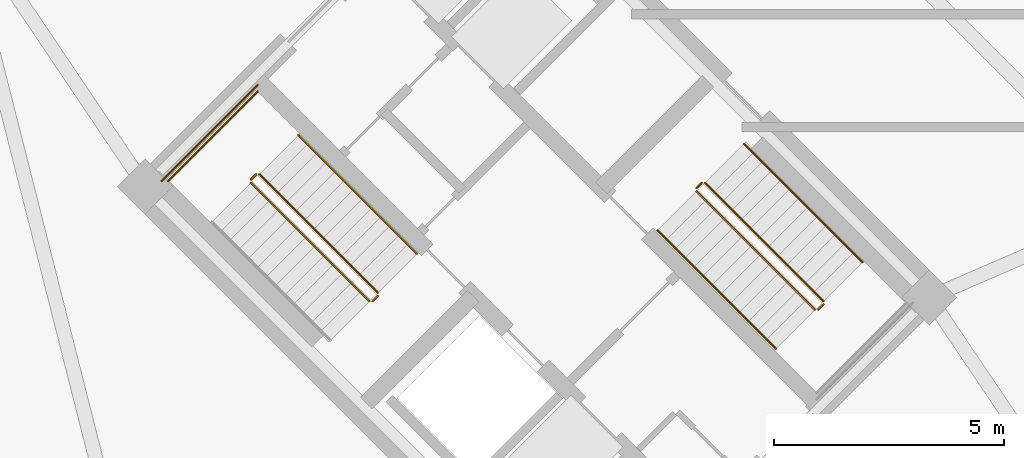
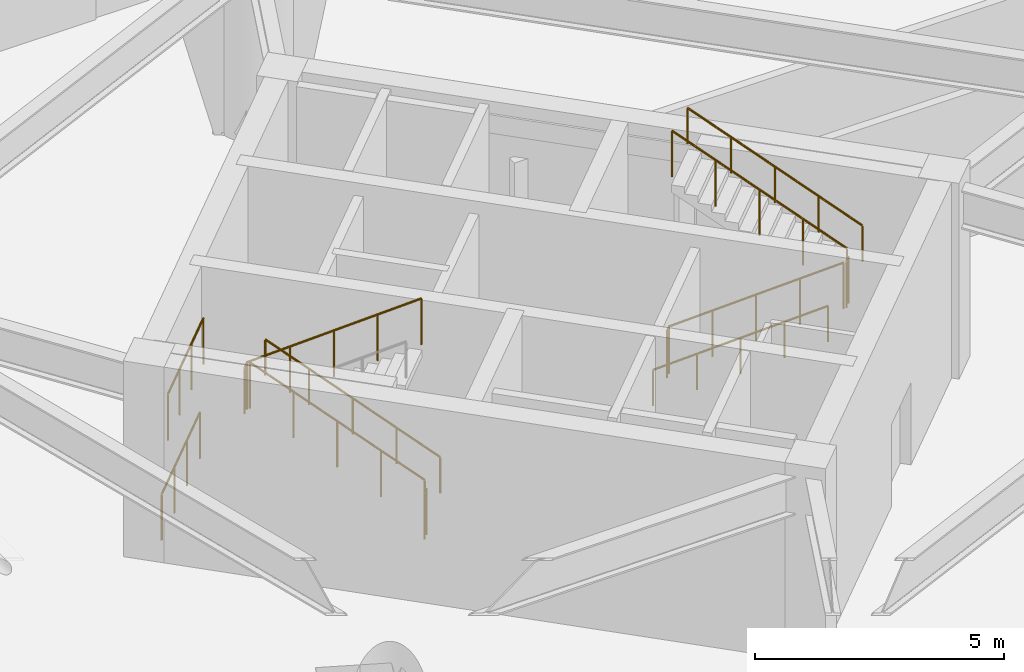
# One storey, part 14 of 17: 13 railings.
"""IFC4 building model written with IfcOpenShell, lengths in metres."""

from ifc_helpers import new_model, si_unit, direction, frame, origin, origin_2d, place, context, subcontext, project, spatial, circle, extrude, material, type_object, element, save


model = new_model("IFC4")

# Units and contexts
model_context = context("Model", 3, precision=1e-05, world=origin(), true_north=direction((0.0, 1.0)))
body_context = subcontext(model_context, "Body", "Model", "MODEL_VIEW")
ifc_project = project(units=[si_unit("LENGTHUNIT", "METRE"), si_unit("AREAUNIT", "SQUARE_METRE"), si_unit("VOLUMEUNIT", "CUBIC_METRE"), si_unit("PLANEANGLEUNIT", "RADIAN"), si_unit("MASSUNIT", "GRAM", prefix="KILO")], contexts=[model_context])

# Site, building, storey
site_placement = place(None, origin())
site = spatial("IfcSite", under=ifc_project, at=site_placement, CompositionType="ELEMENT")
building_placement = place(site_placement, origin())
building = spatial("IfcBuilding", under=site, at=building_placement, Name="Cununo Teusaquillo Station Towers", CompositionType="ELEMENT")
storey_placement = place(building_placement, origin())
storey = spatial("IfcBuildingStorey", under=building, at=storey_placement, Name="L00", CompositionType="ELEMENT", Elevation=0.0)

# Railings
ifc_material_1 = material(Name="Steel EN 10025-2 S355J2", Category="steel")
railing_type_1 = type_object("IfcRailingType", Name="RL-INT-GUARD", PredefinedType="GUARDRAIL", material=ifc_material_1)
railing_1_placement = place(storey_placement, frame((54.03515625, 23.39697265625, 0.17138671875)))
element("IfcRailing", 1, at=railing_1_placement, inside=storey, type_object=railing_type_1, Name="L00 ST-T2-1 stair guard 1", PredefinedType="GUARDRAIL", context=body_context, shape_type="SweptSolid", body=[
    extrude(circle(Radius=0.02392578125, at=origin_2d()), frame((0.0, 0.0, 1.1259765625), z_axis=(-0.603052228043, 0.603052228043, 0.522164744601), x_axis=(-0.707106781187, -0.707106781187, 0.0)), (0.0, 0.0, 1.0), 4.267822265625),
    extrude(circle(Radius=0.02099609375, at=origin_2d()), origin(), (0.0, 0.0, 1.0), 1.101806640625),
    extrude(circle(Radius=0.02099609375, at=origin_2d()), frame((-0.6435546875, 0.6435546875, 0.55712890625)), (0.0, 0.0, 1.0), 1.101806640625),
    extrude(circle(Radius=0.02099609375, at=origin_2d()), frame((-1.286865234375, 1.286865234375, 1.1142578125)), (0.0, 0.0, 1.0), 1.101806640625),
    extrude(circle(Radius=0.02099609375, at=origin_2d()), frame((-1.93017578125, 1.93017578125, 1.67138671875)), (0.0, 0.0, 1.0), 1.101806640625),
    extrude(circle(Radius=0.02099609375, at=origin_2d()), frame((-2.57373046875, 2.57373046875, 2.228515625)), (0.0, 0.0, 1.0), 1.101806640625),
])
railing_2_placement = place(storey_placement, frame((51.390625, 25.970703125, 2.39990234375)))
element("IfcRailing", 2, at=railing_2_placement, inside=storey, type_object=railing_type_1, Name="L00 ST-T2-1 stair guard 2", PredefinedType="GUARDRAIL", context=body_context, shape_type="SweptSolid", body=[
    extrude(circle(Radius=0.02392578125, at=origin_2d()), frame((0.0, 0.0, 1.1259765625), z_axis=(-0.707106781187, -0.707106781187, 0.0), x_axis=(0.707106781187, -0.707106781187, 0.0)), (0.0, 0.0, 1.0), 0.159912109375),
    extrude(circle(Radius=0.02099609375, at=origin_2d()), origin(), (0.0, 0.0, 1.0), 1.101806640625),
    extrude(circle(Radius=0.02099609375, at=origin_2d()), frame((-0.113037109375, -0.113037109375, 0.0)), (0.0, 0.0, 1.0), 1.101806640625),
])
railing_3_placement = place(storey_placement, frame((51.426025390625, 27.77392578125, 2.39990234375)))
element("IfcRailing", 3, at=railing_3_placement, inside=storey, type_object=railing_type_1, Name="L00 ST-T2-1 stair guard 3", PredefinedType="GUARDRAIL", context=body_context, shape_type="SweptSolid", body=[
    extrude(circle(Radius=0.02392578125, at=origin_2d()), frame((0.0, 0.0, 1.1259765625), z_axis=(-0.707106781187, -0.707106781187, 0.0), x_axis=(0.707106781187, -0.707106781187, 0.0)), (0.0, 0.0, 1.0), 2.760009765625),
    extrude(circle(Radius=0.02099609375, at=origin_2d()), origin(), (0.0, 0.0, 1.0), 1.101806640625),
    extrude(circle(Radius=0.02099609375, at=origin_2d()), frame((-0.650634765625, -0.650634765625, 0.0)), (0.0, 0.0, 1.0), 1.101806640625),
    extrude(circle(Radius=0.02099609375, at=origin_2d()), frame((-1.301025390625, -1.301025390625, 0.0)), (0.0, 0.0, 1.0), 1.101806640625),
    extrude(circle(Radius=0.02099609375, at=origin_2d()), frame((-1.95166015625, -1.95166015625, 0.0)), (0.0, 0.0, 1.0), 1.101806640625),
])
railing_4_placement = place(storey_placement, frame((51.277587890625, 25.786865234375, 2.571533203125)))
element("IfcRailing", 4, at=railing_4_placement, inside=storey, type_object=railing_type_1, Name="L00 ST-T2-1 stair guard 4", PredefinedType="GUARDRAIL", context=body_context, shape_type="SweptSolid", body=[
    extrude(circle(Radius=0.02392578125, at=origin_2d()), frame((0.0, 0.0, 1.1259765625), z_axis=(0.603052228043, -0.603052228043, 0.522164744601), x_axis=(0.707106781187, 0.707106781187, 0.0)), (0.0, 0.0, 1.0), 4.267822265625),
    extrude(circle(Radius=0.02099609375, at=origin_2d()), origin(), (0.0, 0.0, 1.0), 1.101806640625),
    extrude(circle(Radius=0.02099609375, at=origin_2d()), frame((0.6435546875, -0.6435546875, 0.55712890625)), (0.0, 0.0, 1.0), 1.101806640625),
    extrude(circle(Radius=0.02099609375, at=origin_2d()), frame((1.286865234375, -1.286865234375, 1.1142578125)), (0.0, 0.0, 1.0), 1.101806640625),
    extrude(circle(Radius=0.02099609375, at=origin_2d()), frame((1.93017578125, -1.93017578125, 1.67138671875)), (0.0, 0.0, 1.0), 1.101806640625),
    extrude(circle(Radius=0.02099609375, at=origin_2d()), frame((2.57373046875, -2.57373046875, 2.228515625)), (0.0, 0.0, 1.0), 1.101806640625),
])
railing_5_placement = place(storey_placement, frame((54.03515625, 23.326171875, 0.0)))
element("IfcRailing", 5, at=railing_5_placement, inside=storey, type_object=railing_type_1, Name="L00 ST-T2-1 stair guard 5", PredefinedType="GUARDRAIL", context=body_context, shape_type="SweptSolid", body=[
    extrude(circle(Radius=0.02392578125, at=origin_2d()), frame((0.0, 0.0, 1.1259765625), z_axis=(-0.707106781187, -0.707106781187, 0.0), x_axis=(0.707106781187, -0.707106781187, 0.0)), (0.0, 0.0, 1.0), 0.159912109375),
    extrude(circle(Radius=0.02099609375, at=origin_2d()), origin(), (0.0, 0.0, 1.0), 1.101806640625),
    extrude(circle(Radius=0.02099609375, at=origin_2d()), frame((-0.113037109375, -0.113037109375, 0.0)), (0.0, 0.0, 1.0), 1.101806640625),
])
railing_6_placement = place(storey_placement, frame((51.426025390625, 27.915283203125, 0.0)))
element("IfcRailing", 6, at=railing_6_placement, inside=storey, type_object=railing_type_1, Name="L00 ST-T2-1 stair guard 6", PredefinedType="GUARDRAIL", context=body_context, shape_type="SweptSolid", body=[
    extrude(circle(Radius=0.02392578125, at=origin_2d()), frame((0.0, 0.0, 1.1259765625), z_axis=(-0.707106781187, -0.707106781187, 0.0), x_axis=(0.707106781187, -0.707106781187, 0.0)), (0.0, 0.0, 1.0), 2.9599609375),
    extrude(circle(Radius=0.02099609375, at=origin_2d()), origin(), (0.0, 0.0, 1.0), 1.101806640625),
    extrude(circle(Radius=0.02099609375, at=origin_2d()), frame((-0.69775390625, -0.69775390625, 0.0)), (0.0, 0.0, 1.0), 1.101806640625),
    extrude(circle(Radius=0.02099609375, at=origin_2d()), frame((-1.395263671875, -1.395263671875, 0.0)), (0.0, 0.0, 1.0), 1.101806640625),
    extrude(circle(Radius=0.02099609375, at=origin_2d()), frame((-2.093017578125, -2.093017578125, 0.0)), (0.0, 0.0, 1.0), 1.101806640625),
])
railing_7_placement = place(storey_placement, frame((60.96484375, 25.60302734375, 0.17138671875)))
element("IfcRailing", 7, at=railing_7_placement, inside=storey, type_object=railing_type_1, Name="L00 ST-T2-2 stair guard 1", PredefinedType="GUARDRAIL", context=body_context, shape_type="SweptSolid", body=[
    extrude(circle(Radius=0.02392578125, at=origin_2d()), frame((0.0, 0.0, 1.1259765625), z_axis=(0.603052228043, -0.603052228043, 0.522164744601), x_axis=(0.707106781187, 0.707106781187, 0.0)), (0.0, 0.0, 1.0), 4.267822265625),
    extrude(circle(Radius=0.02099609375, at=origin_2d()), origin(), (0.0, 0.0, 1.0), 1.101806640625),
    extrude(circle(Radius=0.02099609375, at=origin_2d()), frame((0.6435546875, -0.6435546875, 0.55712890625)), (0.0, 0.0, 1.0), 1.101806640625),
    extrude(circle(Radius=0.02099609375, at=origin_2d()), frame((1.286865234375, -1.286865234375, 1.1142578125)), (0.0, 0.0, 1.0), 1.101806640625),
    extrude(circle(Radius=0.02099609375, at=origin_2d()), frame((1.93017578125, -1.93017578125, 1.67138671875)), (0.0, 0.0, 1.0), 1.101806640625),
    extrude(circle(Radius=0.02099609375, at=origin_2d()), frame((2.57373046875, -2.57373046875, 2.228515625)), (0.0, 0.0, 1.0), 1.101806640625),
])
railing_8_placement = place(storey_placement, frame((63.609375, 23.029296875, 2.39990234375)))
element("IfcRailing", 8, at=railing_8_placement, inside=storey, type_object=railing_type_1, Name="L00 ST-T2-2 stair guard 2", PredefinedType="GUARDRAIL", context=body_context, shape_type="SweptSolid", body=[
    extrude(circle(Radius=0.02392578125, at=origin_2d()), frame((0.0, 0.0, 1.1259765625), z_axis=(0.707106781187, 0.707106781187, 0.0), x_axis=(-0.707106781187, 0.707106781187, 0.0)), (0.0, 0.0, 1.0), 0.159912109375),
    extrude(circle(Radius=0.02099609375, at=origin_2d()), origin(), (0.0, 0.0, 1.0), 1.101806640625),
    extrude(circle(Radius=0.02099609375, at=origin_2d()), frame((0.113037109375, 0.113037109375, 0.0)), (0.0, 0.0, 1.0), 1.101806640625),
])
railing_9_placement = place(storey_placement, frame((63.722412109375, 23.213134765625, 2.571533203125)))
element("IfcRailing", 9, at=railing_9_placement, inside=storey, type_object=railing_type_1, Name="L00 ST-T2-2 stair guard 4", PredefinedType="GUARDRAIL", context=body_context, shape_type="SweptSolid", body=[
    extrude(circle(Radius=0.02392578125, at=origin_2d()), frame((0.0, 0.0, 1.1259765625), z_axis=(-0.603052228043, 0.603052228043, 0.522164744601), x_axis=(-0.707106781187, -0.707106781187, 0.0)), (0.0, 0.0, 1.0), 4.267822265625),
    extrude(circle(Radius=0.02099609375, at=origin_2d()), origin(), (0.0, 0.0, 1.0), 1.101806640625),
    extrude(circle(Radius=0.02099609375, at=origin_2d()), frame((-0.6435546875, 0.6435546875, 0.55712890625)), (0.0, 0.0, 1.0), 1.101806640625),
    extrude(circle(Radius=0.02099609375, at=origin_2d()), frame((-1.286865234375, 1.286865234375, 1.1142578125)), (0.0, 0.0, 1.0), 1.101806640625),
    extrude(circle(Radius=0.02099609375, at=origin_2d()), frame((-1.93017578125, 1.93017578125, 1.67138671875)), (0.0, 0.0, 1.0), 1.101806640625),
    extrude(circle(Radius=0.02099609375, at=origin_2d()), frame((-2.57373046875, 2.57373046875, 2.228515625)), (0.0, 0.0, 1.0), 1.101806640625),
])
railing_10_placement = place(storey_placement, frame((60.96484375, 25.673828125, 0.0)))
element("IfcRailing", 10, at=railing_10_placement, inside=storey, type_object=railing_type_1, Name="L00 ST-T2-2 stair guard 5", PredefinedType="GUARDRAIL", context=body_context, shape_type="SweptSolid", body=[
    extrude(circle(Radius=0.02392578125, at=origin_2d()), frame((0.0, 0.0, 1.1259765625), z_axis=(0.707106781187, 0.707106781187, 0.0), x_axis=(-0.707106781187, 0.707106781187, 0.0)), (0.0, 0.0, 1.0), 0.159912109375),
    extrude(circle(Radius=0.02099609375, at=origin_2d()), origin(), (0.0, 0.0, 1.0), 1.101806640625),
    extrude(circle(Radius=0.02099609375, at=origin_2d()), frame((0.113037109375, 0.113037109375, 0.0)), (0.0, 0.0, 1.0), 1.101806640625),
])
ifc_material_2 = material(Name="Steel EN 10025-2 S355J2", Category="steel")
railing_type_2 = type_object("IfcRailingType", Name="RL-INT-HRAIL", PredefinedType="HANDRAIL", material=ifc_material_2)
railing_11_placement = place(storey_placement, frame((54.8837890625, 24.245361328125, 0.17138671875)))
element("IfcRailing", 11, at=railing_11_placement, inside=storey, type_object=railing_type_2, Name="L00 ST-T2-1 stair handrail 1", PredefinedType="HANDRAIL", context=body_context, shape_type="SweptSolid", body=[
    extrude(circle(Radius=0.02392578125, at=origin_2d()), frame((0.0, 0.0, 0.8759765625), z_axis=(-0.603067823642, 0.603067823642, 0.522128719929), x_axis=(-0.707106781187, -0.707106781187, 0.0)), (0.0, 0.0, 1.0), 4.26806640625),
    extrude(circle(Radius=0.02099609375, at=origin_2d()), origin(), (0.0, 0.0, 1.0), 0.851806640625),
    extrude(circle(Radius=0.02099609375, at=origin_2d()), frame((-0.6435546875, 0.6435546875, 0.55712890625)), (0.0, 0.0, 1.0), 0.851806640625),
    extrude(circle(Radius=0.02099609375, at=origin_2d()), frame((-1.287109375, 1.287109375, 1.1142578125)), (0.0, 0.0, 1.0), 0.851806640625),
    extrude(circle(Radius=0.02099609375, at=origin_2d()), frame((-1.930419921875, 1.930419921875, 1.67138671875)), (0.0, 0.0, 1.0), 0.851806640625),
    extrude(circle(Radius=0.02099609375, at=origin_2d()), frame((-2.573974609375, 2.573974609375, 2.228515625)), (0.0, 0.0, 1.0), 0.851806640625),
])
railing_12_placement = place(storey_placement, frame((60.1162109375, 24.754638671875, 0.17138671875)))
element("IfcRailing", 12, at=railing_12_placement, inside=storey, type_object=railing_type_2, Name="L00 ST-T2-2 stair handrail 1", PredefinedType="HANDRAIL", context=body_context, shape_type="SweptSolid", body=[
    extrude(circle(Radius=0.02392578125, at=origin_2d()), frame((0.0, 0.0, 0.8759765625), z_axis=(0.603067823642, -0.603067823642, 0.522128719929), x_axis=(0.707106781187, 0.707106781187, 0.0)), (0.0, 0.0, 1.0), 4.26806640625),
    extrude(circle(Radius=0.02099609375, at=origin_2d()), origin(), (0.0, 0.0, 1.0), 0.851806640625),
    extrude(circle(Radius=0.02099609375, at=origin_2d()), frame((0.6435546875, -0.6435546875, 0.55712890625)), (0.0, 0.0, 1.0), 0.851806640625),
    extrude(circle(Radius=0.02099609375, at=origin_2d()), frame((1.287109375, -1.287109375, 1.1142578125)), (0.0, 0.0, 1.0), 0.851806640625),
    extrude(circle(Radius=0.02099609375, at=origin_2d()), frame((1.930419921875, -1.930419921875, 1.67138671875)), (0.0, 0.0, 1.0), 0.851806640625),
    extrude(circle(Radius=0.02099609375, at=origin_2d()), frame((2.573974609375, -2.573974609375, 2.228515625)), (0.0, 0.0, 1.0), 0.851806640625),
])
railing_13_placement = place(storey_placement, frame((64.571044921875, 24.0615234375, 2.571533203125)))
element("IfcRailing", 13, at=railing_13_placement, inside=storey, type_object=railing_type_2, Name="L00 ST-T2-2 stair handrail 2", PredefinedType="HANDRAIL", context=body_context, shape_type="SweptSolid", body=[
    extrude(circle(Radius=0.02392578125, at=origin_2d()), frame((0.0, 0.0, 0.8759765625), z_axis=(-0.603067823642, 0.603067823642, 0.522128719929), x_axis=(-0.707106781187, -0.707106781187, 0.0)), (0.0, 0.0, 1.0), 4.26806640625),
    extrude(circle(Radius=0.02099609375, at=origin_2d()), origin(), (0.0, 0.0, 1.0), 0.851806640625),
    extrude(circle(Radius=0.02099609375, at=origin_2d()), frame((-0.6435546875, 0.6435546875, 0.55712890625)), (0.0, 0.0, 1.0), 0.851806640625),
    extrude(circle(Radius=0.02099609375, at=origin_2d()), frame((-1.287109375, 1.287109375, 1.1142578125)), (0.0, 0.0, 1.0), 0.851806640625),
    extrude(circle(Radius=0.02099609375, at=origin_2d()), frame((-1.930419921875, 1.930419921875, 1.67138671875)), (0.0, 0.0, 1.0), 0.851806640625),
    extrude(circle(Radius=0.02099609375, at=origin_2d()), frame((-2.573974609375, 2.573974609375, 2.228515625)), (0.0, 0.0, 1.0), 0.851806640625),
])

save(model, "model.ifc")
